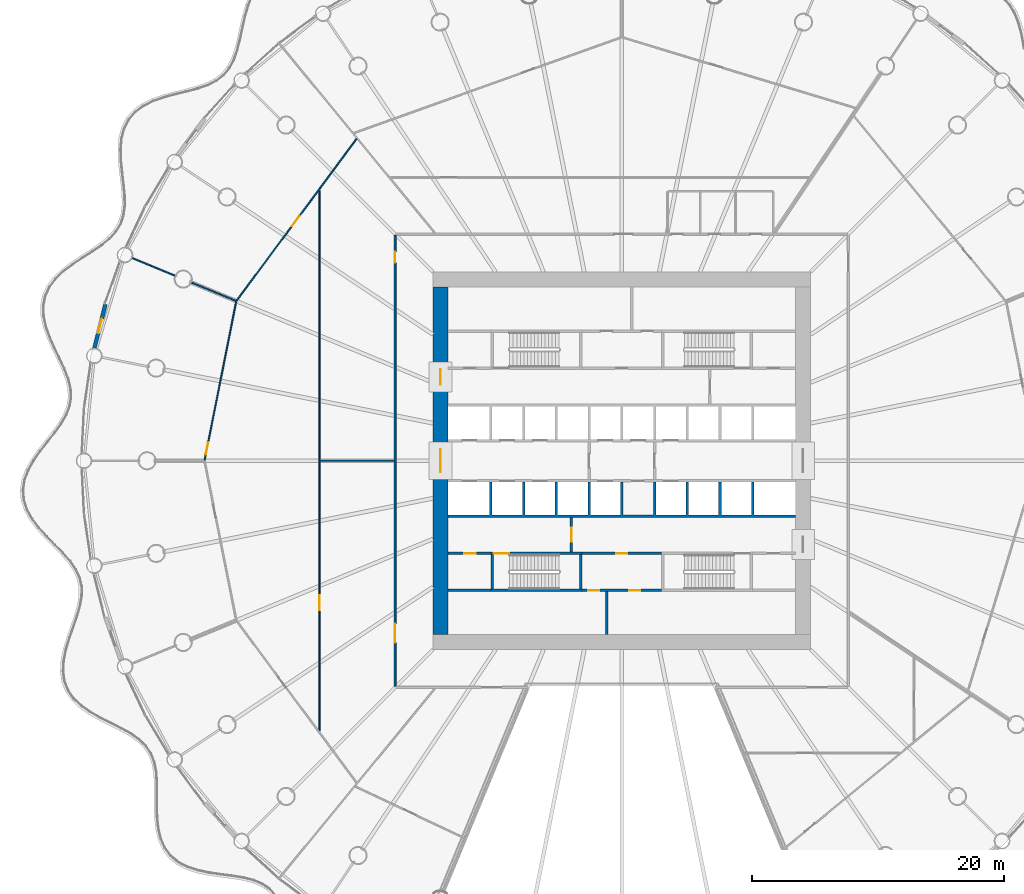
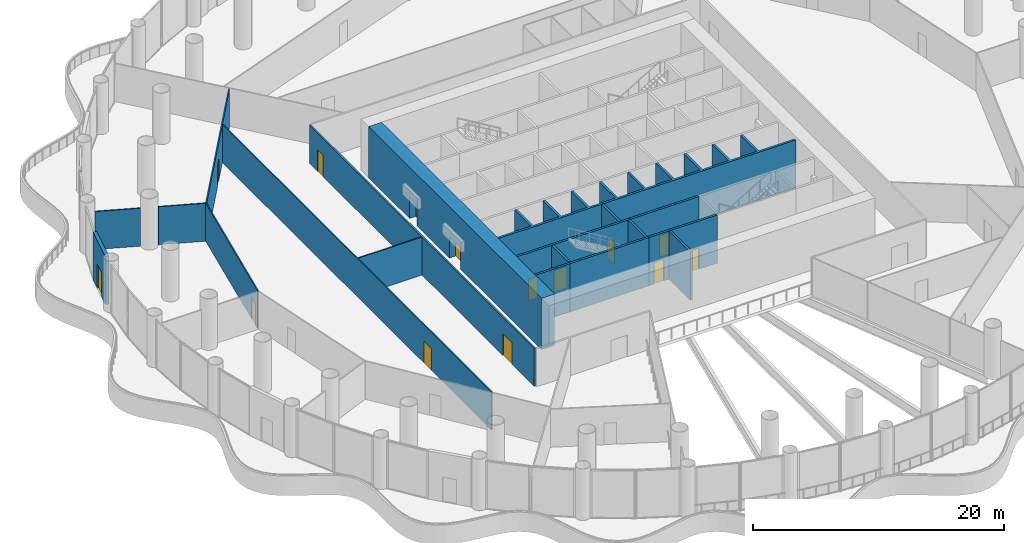
# One storey, part 24 of 36: 20 walls, 14 doors, 14 openings.
"""IFC4 building model written with IfcOpenShell, lengths in metres."""

from ifc_helpers import new_model, si_unit, direction, frame, frame_2d, origin, place, context, subcontext, project, spatial, polyline, rectangle, outline, extrude, material, layer, layer_set, type_object, element, fill, save


model = new_model("IFC4")

# Units and contexts
model_context = context("Model", 3, precision=1e-05, world=origin(), true_north=direction((0.0, 1.0)))
body_context = subcontext(model_context, "Body", "Model", "MODEL_VIEW")
ifc_project = project(units=[si_unit("LENGTHUNIT", "METRE"), si_unit("AREAUNIT", "SQUARE_METRE"), si_unit("VOLUMEUNIT", "CUBIC_METRE"), si_unit("PLANEANGLEUNIT", "RADIAN"), si_unit("MASSUNIT", "GRAM", prefix="KILO")], contexts=[model_context])

# Site, building, storey
site_placement = place(None, origin())
site = spatial("IfcSite", under=ifc_project, at=site_placement, CompositionType="ELEMENT")
building_placement = place(site_placement, origin())
building = spatial("IfcBuilding", under=site, at=building_placement, Name="Corvane Civic Tower", CompositionType="ELEMENT")
storey_placement = place(building_placement, frame((0.0, 0.0, 17.0)))
storey = spatial("IfcBuildingStorey", under=building, at=storey_placement, Name="L03", CompositionType="ELEMENT", Elevation=17.0)

# Wall, openings, doors
ifc_material_1 = material(Name="Concrete C80/95", Category="concrete")
ifc_layer_1 = layer(ifc_material_1, 1.199951171875)
ifc_layer_set_1 = layer_set([ifc_layer_1], Name="Concrete C80/95")
wall_type_1 = type_object("IfcWallType", Name="CORE WALL 1200 C80/95", PredefinedType="SHEAR", material=ifc_layer_set_1)
wall_1_placement = place(storey_placement, frame((-14.39990234375, -13.800048828125, 0.0), z_axis=(0.0, 0.0, 1.0), x_axis=(0.0, 1.0, 0.0)))
wall_1 = element("IfcWall", 1, at=wall_1_placement, inside=storey, type_object=wall_type_1, Name="W-L03-core-W", PredefinedType="SHEAR", context=body_context, shape_type="SweptSolid", body=[
    extrude(rectangle(XDim=27.60009765625, YDim=1.199951171875, at=frame_2d((13.800048828125, 0.0))), origin(), (0.0, 0.0, 1.0), 5.0),
])
opening_1_placement = place(wall_1_placement, frame((12.89990234375, 0.0, 0.0)))
opening_1 = element("IfcOpeningElement", 2, at=opening_1_placement, cuts=wall_1, Name="Opening L03.C20", PredefinedType="OPENING", context=body_context, shape_type="SweptSolid", body=[
    extrude(rectangle(XDim=1.800048828125, YDim=2.10009765625, at=frame_2d((0.89990234375, 1.050048828125))), frame((0.0, 0.60986328125, 0.0), z_axis=(0.0, -1.0, 0.0), x_axis=(1.0, 0.0, 0.0)), (0.0, 0.0, 1.0), 1.219970703125),
])
opening_2_placement = place(wall_1_placement, frame((19.85009765625, 0.0, 0.0)))
opening_2 = element("IfcOpeningElement", 3, at=opening_2_placement, cuts=wall_1, Name="Opening L03.C22", PredefinedType="OPENING", context=body_context, shape_type="SweptSolid", body=[
    extrude(rectangle(XDim=1.199951171875, YDim=2.10009765625, at=frame_2d((0.60009765625, 1.050048828125))), frame((0.0, 0.60986328125, 0.0), z_axis=(0.0, -1.0, 0.0), x_axis=(1.0, 0.0, 0.0)), (0.0, 0.0, 1.0), 1.219970703125),
])
ifc_material_2 = material(Name="Steel fire door leaf", Category="steel")
door_type_1 = type_object("IfcDoorType", Name="CR-DOOR-CORE-1800", OperationType="DOUBLE_DOOR_SINGLE_SWING", PredefinedType="DOOR", material=ifc_material_2)
door_1_placement = place(opening_1_placement, origin())
door_1 = element("IfcDoor", 4, at=door_1_placement, inside=storey, type_object=door_type_1, Name="L03 door", OperationType="DOUBLE_DOOR_SINGLE_SWING", OverallHeight=2.10009765625, OverallWidth=1.800048828125, PredefinedType="DOOR", context=body_context, shape_type="SweptSolid", body=[
    extrude(rectangle(XDim=1.800048828125, YDim=2.10009765625, at=frame_2d((0.89990234375, 1.050048828125))), frame((0.0, 0.02490234375, 0.0), z_axis=(0.0, -1.0, 0.0), x_axis=(1.0, 0.0, 0.0)), (0.0, 0.0, 1.0), 0.050048828125),
])
fill(opening_1, door_1)
door_2_placement = place(opening_2_placement, origin())
door_2 = element("IfcDoor", 5, at=door_2_placement, inside=storey, type_object=door_type_1, Name="L03 door", OperationType="DOUBLE_DOOR_SINGLE_SWING", OverallHeight=2.10009765625, OverallWidth=1.199951171875, PredefinedType="DOOR", context=body_context, shape_type="SweptSolid", body=[
    extrude(rectangle(XDim=1.199951171875, YDim=2.10009765625, at=frame_2d((0.60009765625, 1.050048828125))), frame((0.0, 0.02490234375, 0.0), z_axis=(0.0, -1.0, 0.0), x_axis=(1.0, 0.0, 0.0)), (0.0, 0.0, 1.0), 0.050048828125),
])
fill(opening_2, door_2)

ifc_material_3 = material(Name="Concrete C30/37", Category="concrete")
ifc_layer_2 = layer(ifc_material_3, 0.199951171875)
ifc_layer_set_2 = layer_set([ifc_layer_2], Name="Concrete C30/37")
wall_type_2 = type_object("IfcWallType", Name="CR-WALL-200", PredefinedType="PARTITIONING", material=ifc_layer_set_2)
wall_2_placement = place(storey_placement, frame((-3.14990234375, -10.300048828125, 0.0), z_axis=(0.0, 0.0, 1.0), x_axis=(1.0, 0.0, 0.0)))
wall_2 = element("IfcWall", 6, at=wall_2_placement, inside=storey, type_object=wall_type_2, Name="L03 partition wall", PredefinedType="PARTITIONING", context=body_context, shape_type="SweptSolid", body=[
    extrude(rectangle(XDim=6.2998046875, YDim=0.199951171875, at=frame_2d((3.14990234375, 0.0))), origin(), (0.0, 0.0, 1.0), 4.699951171875),
])
opening_3_placement = place(wall_2_placement, frame((0.47509765625, 0.0, 0.0)))
opening_3 = element("IfcOpeningElement", 7, at=opening_3_placement, cuts=wall_2, Name="Opening L03.C06", PredefinedType="OPENING", context=body_context, shape_type="SweptSolid", body=[
    extrude(rectangle(XDim=0.89990234375, YDim=2.10009765625, at=frame_2d((0.449951171875, 1.050048828125))), frame((0.0, 0.10986328125, 0.0), z_axis=(0.0, -1.0, 0.0), x_axis=(1.0, 0.0, 0.0)), (0.0, 0.0, 1.0), 0.219970703125),
])
opening_4_placement = place(wall_2_placement, frame((3.72509765625, 0.0, 0.0)))
opening_4 = element("IfcOpeningElement", 8, at=opening_4_placement, cuts=wall_2, Name="Opening L03.C07", PredefinedType="OPENING", context=body_context, shape_type="SweptSolid", body=[
    extrude(rectangle(XDim=0.89990234375, YDim=2.10009765625, at=frame_2d((0.449951171875, 1.050048828125))), frame((0.0, 0.10986328125, 0.0), z_axis=(0.0, -1.0, 0.0), x_axis=(1.0, 0.0, 0.0)), (0.0, 0.0, 1.0), 0.219970703125),
])
ifc_material_4 = material(Name="Steel fire door leaf", Category="steel")
door_type_2 = type_object("IfcDoorType", Name="CR-DOOR-900", OperationType="SINGLE_SWING_LEFT", PredefinedType="DOOR", material=ifc_material_4)
door_3_placement = place(opening_3_placement, origin())
door_3 = element("IfcDoor", 9, at=door_3_placement, inside=storey, type_object=door_type_2, Name="L03 door", OperationType="SINGLE_SWING_LEFT", OverallHeight=2.10009765625, OverallWidth=0.89990234375, PredefinedType="DOOR", context=body_context, shape_type="SweptSolid", body=[
    extrude(rectangle(XDim=0.89990234375, YDim=2.10009765625, at=frame_2d((0.449951171875, 1.050048828125))), frame((0.0, 0.02490234375, 0.0), z_axis=(0.0, -1.0, 0.0), x_axis=(1.0, 0.0, 0.0)), (0.0, 0.0, 1.0), 0.050048828125),
])
fill(opening_3, door_3)
door_4_placement = place(opening_4_placement, origin())
door_4 = element("IfcDoor", 10, at=door_4_placement, inside=storey, type_object=door_type_2, Name="L03 door", OperationType="SINGLE_SWING_LEFT", OverallHeight=2.10009765625, OverallWidth=0.89990234375, PredefinedType="DOOR", context=body_context, shape_type="SweptSolid", body=[
    extrude(rectangle(XDim=0.89990234375, YDim=2.10009765625, at=frame_2d((0.449951171875, 1.050048828125))), frame((0.0, 0.02490234375, 0.0), z_axis=(0.0, -1.0, 0.0), x_axis=(1.0, 0.0, 0.0)), (0.0, 0.0, 1.0), 0.050048828125),
])
fill(opening_4, door_4)

# Wall, opening, door
wall_3_placement = place(storey_placement, frame((-13.800048828125, -7.35009765625, 0.0), z_axis=(0.0, 0.0, 1.0), x_axis=(1.0, 0.0, 0.0)))
wall_3 = element("IfcWall", 11, at=wall_3_placement, inside=storey, type_object=wall_type_2, Name="L03 core partition wall", PredefinedType="PARTITIONING", context=body_context, shape_type="SweptSolid", body=[
    extrude(rectangle(XDim=3.400146484375, YDim=0.199951171875, at=frame_2d((1.7001953125, 0.0))), origin(), (0.0, 0.0, 1.0), 4.699951171875),
])
opening_5_placement = place(wall_3_placement, frame((1.300048828125, 0.0, 0.0)))
opening_5 = element("IfcOpeningElement", 12, at=opening_5_placement, cuts=wall_3, Name="Opening L03.C09", PredefinedType="OPENING", context=body_context, shape_type="SweptSolid", body=[
    extrude(rectangle(XDim=0.89990234375, YDim=2.10009765625, at=frame_2d((0.449951171875, 1.050048828125))), frame((0.0, 0.10986328125, 0.0), z_axis=(0.0, -1.0, 0.0), x_axis=(1.0, 0.0, 0.0)), (0.0, 0.0, 1.0), 0.219970703125),
])
door_5_placement = place(opening_5_placement, origin())
door_5 = element("IfcDoor", 13, at=door_5_placement, inside=storey, type_object=door_type_2, Name="L03 door", OperationType="SINGLE_SWING_LEFT", OverallHeight=2.10009765625, OverallWidth=0.89990234375, PredefinedType="DOOR", context=body_context, shape_type="SweptSolid", body=[
    extrude(rectangle(XDim=0.89990234375, YDim=2.10009765625, at=frame_2d((0.449951171875, 1.050048828125))), frame((0.0, 0.02490234375, 0.0), z_axis=(0.0, -1.0, 0.0), x_axis=(1.0, 0.0, 0.0)), (0.0, 0.0, 1.0), 0.050048828125),
])
fill(opening_5, door_5)

wall_4_placement = place(storey_placement, frame((-3.14990234375, -7.35009765625, 0.0), z_axis=(0.0, 0.0, 1.0), x_axis=(1.0, 0.0, 0.0)))
wall_4 = element("IfcWall", 14, at=wall_4_placement, inside=storey, type_object=wall_type_2, Name="L03 core partition wall", PredefinedType="PARTITIONING", context=body_context, shape_type="SweptSolid", body=[
    extrude(rectangle(XDim=6.2998046875, YDim=0.199951171875, at=frame_2d((3.14990234375, 0.0))), origin(), (0.0, 0.0, 1.0), 4.699951171875),
])
opening_6_placement = place(wall_4_placement, frame((2.699951171875, 0.0, 0.0)))
opening_6 = element("IfcOpeningElement", 15, at=opening_6_placement, cuts=wall_4, Name="Opening L03.C03", PredefinedType="OPENING", context=body_context, shape_type="SweptSolid", body=[
    extrude(rectangle(XDim=0.89990234375, YDim=2.10009765625, at=frame_2d((0.449951171875, 1.050048828125))), frame((0.0, 0.10986328125, 0.0), z_axis=(0.0, -1.0, 0.0), x_axis=(1.0, 0.0, 0.0)), (0.0, 0.0, 1.0), 0.219970703125),
])
door_6_placement = place(opening_6_placement, origin())
door_6 = element("IfcDoor", 16, at=door_6_placement, inside=storey, type_object=door_type_2, Name="L03 door", OperationType="SINGLE_SWING_LEFT", OverallHeight=2.10009765625, OverallWidth=0.89990234375, PredefinedType="DOOR", context=body_context, shape_type="SweptSolid", body=[
    extrude(rectangle(XDim=0.89990234375, YDim=2.10009765625, at=frame_2d((0.449951171875, 1.050048828125))), frame((0.0, 0.02490234375, 0.0), z_axis=(0.0, -1.0, 0.0), x_axis=(1.0, 0.0, 0.0)), (0.0, 0.0, 1.0), 0.050048828125),
])
fill(opening_6, door_6)

wall_5_placement = place(storey_placement, frame((-4.0, -7.25, 0.0), z_axis=(0.0, 0.0, 1.0), x_axis=(0.0, 1.0, 0.0)))
wall_5 = element("IfcWall", 17, at=wall_5_placement, inside=storey, type_object=wall_type_2, Name="L03 core partition wall", PredefinedType="PARTITIONING", context=body_context, shape_type="SweptSolid", body=[
    extrude(rectangle(XDim=2.75, YDim=0.199951171875, at=frame_2d((1.375, 0.0))), origin(), (0.0, 0.0, 1.0), 4.699951171875),
])
opening_7_placement = place(wall_5_placement, frame((0.824951171875, 0.0, 0.0)))
opening_7 = element("IfcOpeningElement", 18, at=opening_7_placement, cuts=wall_5, Name="Opening L03.C19", PredefinedType="OPENING", context=body_context, shape_type="SweptSolid", body=[
    extrude(rectangle(XDim=1.10009765625, YDim=2.10009765625, at=frame_2d((0.550048828125, 1.050048828125))), frame((0.0, 0.10986328125, 0.0), z_axis=(0.0, -1.0, 0.0), x_axis=(1.0, 0.0, 0.0)), (0.0, 0.0, 1.0), 0.219970703125),
])
ifc_material_5 = material(Name="Steel fire door leaf", Category="steel")
door_type_3 = type_object("IfcDoorType", Name="CR-DOOR-FFL-1100", OperationType="SINGLE_SWING_LEFT", PredefinedType="DOOR", material=ifc_material_5)
door_7_placement = place(opening_7_placement, origin())
door_7 = element("IfcDoor", 19, at=door_7_placement, inside=storey, type_object=door_type_3, Name="L03 lobby door", OperationType="SINGLE_SWING_LEFT", OverallHeight=2.10009765625, OverallWidth=1.10009765625, PredefinedType="DOOR", context=body_context, shape_type="SweptSolid", body=[
    extrude(rectangle(XDim=1.10009765625, YDim=2.10009765625, at=frame_2d((0.550048828125, 1.050048828125))), frame((0.0, 0.02490234375, 0.0), z_axis=(0.0, -1.0, 0.0), x_axis=(1.0, 0.0, 0.0)), (0.0, 0.0, 1.0), 0.050048828125),
])
fill(opening_7, door_7)

# Walls
wall_6_placement = place(storey_placement, origin())
element("IfcWall", 20, at=wall_6_placement, inside=storey, type_object=wall_type_2, Name="L03 core partition wall", PredefinedType="PARTITIONING", context=body_context, shape_type="SweptSolid", body=[
    extrude(outline(polyline([(-10.39990234375, -10.39990234375), (-13.800048828125, -10.39990234375), (-13.800048828125, -10.199951171875), (-10.39990234375, -10.199951171875), (-10.39990234375, -10.39990234375)])), origin(), (0.0, 0.0, 1.0), 4.699951171875),
])
wall_7_placement = place(storey_placement, origin())
element("IfcWall", 21, at=wall_7_placement, inside=storey, type_object=wall_type_2, Name="L03 core partition wall", PredefinedType="PARTITIONING", context=body_context, shape_type="SweptSolid", body=[
    extrude(outline(polyline([(-1.10009765625, -10.39990234375), (-1.10009765625, -13.800048828125), (-1.300048828125, -13.800048828125), (-1.300048828125, -10.39990234375), (-1.10009765625, -10.39990234375)])), origin(), (0.0, 0.0, 1.0), 4.699951171875),
])
wall_8_placement = place(storey_placement, origin())
element("IfcWall", 22, at=wall_8_placement, inside=storey, type_object=wall_type_2, Name="L03 core partition wall", PredefinedType="PARTITIONING", context=body_context, shape_type="SweptSolid", body=[
    extrude(outline(polyline([(-10.5, -1.699951171875), (-10.300048828125, -1.699951171875), (-10.300048828125, -4.300048828125), (-7.89990234375, -4.300048828125), (-7.89990234375, -1.699951171875), (-7.699951171875, -1.699951171875), (-7.699951171875, -4.300048828125), (-5.300048828125, -4.300048828125), (-5.300048828125, -1.699951171875), (-5.10009765625, -1.699951171875), (-5.10009765625, -4.300048828125), (-2.699951171875, -4.300048828125), (-2.699951171875, -1.699951171875), (-2.5, -1.699951171875), (-2.5, -4.300048828125), (-0.10009765625, -4.300048828125), (-0.10009765625, -1.699951171875), (0.10009765625, -1.699951171875), (0.10009765625, -4.300048828125), (2.5, -4.300048828125), (2.5, -1.699951171875), (2.699951171875, -1.699951171875), (2.699951171875, -4.300048828125), (5.10009765625, -4.300048828125), (5.10009765625, -1.699951171875), (5.300048828125, -1.699951171875), (5.300048828125, -4.300048828125), (7.699951171875, -4.300048828125), (7.699951171875, -1.699951171875), (7.89990234375, -1.699951171875), (7.89990234375, -4.300048828125), (10.300048828125, -4.300048828125), (10.300048828125, -1.699951171875), (10.5, -1.699951171875), (10.5, -4.300048828125), (13.800048828125, -4.300048828125), (13.800048828125, -4.5), (-13.800048828125, -4.5), (-13.800048828125, -4.300048828125), (-10.5, -4.300048828125), (-10.5, -1.699951171875)])), origin(), (0.0, 0.0, 1.0), 4.699951171875),
])

# Wall, opening, door
ifc_material_6 = material(Name="Terracotta cladding", Category="masonry")
ifc_layer_3 = layer(ifc_material_6, 0.300048828125)
ifc_layer_set_3 = layer_set([ifc_layer_3], Name="Terracotta cladding")
wall_type_3 = type_object("IfcWallType", Name="PODIUM-W-DRUMDOOR-300", PredefinedType="SOLIDWALL", material=ifc_layer_set_3)
wall_9_placement = place(storey_placement, frame((-41.872802734375, 8.973388671875, 0.0), z_axis=(0.0, 0.0, 1.0), x_axis=(0.243003601959, 0.970025385974, 0.0)))
wall_9 = element("IfcWall", 23, at=wall_9_placement, inside=storey, type_object=wall_type_3, Name="L03 drum door bay wall 26", PredefinedType="SOLIDWALL", context=body_context, shape_type="SweptSolid", body=[
    extrude(rectangle(XDim=3.5595703125, YDim=0.300048828125, at=frame_2d((1.77978515625, 0.0))), origin(), (0.0, 0.0, 1.0), 4.699951171875),
])
opening_8_placement = place(wall_9_placement, frame((1.179931640625, 0.0, 0.0)))
opening_8 = element("IfcOpeningElement", 24, at=opening_8_placement, cuts=wall_9, Name="Opening ED-L03-26", PredefinedType="OPENING", context=body_context, shape_type="SweptSolid", body=[
    extrude(rectangle(XDim=1.199951171875, YDim=2.39990234375, at=frame_2d((0.60009765625, 1.199951171875))), frame((0.0, 0.159912109375, 0.0), z_axis=(0.0, -1.0, 0.0), x_axis=(1.0, 0.0, 0.0)), (0.0, 0.0, 1.0), 0.320068359375),
])
ifc_material_7 = material(Name="Anodised aluminium and glass", Category="aluminium")
door_type_4 = type_object("IfcDoorType", Name="PODIUM-D-BALCONY-1200", OperationType="SINGLE_SWING_LEFT", PredefinedType="DOOR", material=ifc_material_7)
door_8_placement = place(opening_8_placement, origin())
door_8 = element("IfcDoor", 25, at=door_8_placement, inside=storey, type_object=door_type_4, Name="L03 balcony door 26", OperationType="SINGLE_SWING_RIGHT", OverallHeight=2.39990234375, OverallWidth=1.199951171875, PredefinedType="DOOR", context=body_context, shape_type="SweptSolid", body=[
    extrude(rectangle(XDim=1.199951171875, YDim=2.39990234375, at=frame_2d((0.60009765625, 1.199951171875))), frame((0.0, 0.02490234375, 0.0), z_axis=(0.0, -1.0, 0.0), x_axis=(1.0, 0.0, 0.0)), (0.0, 0.0, 1.0), 0.050048828125),
])
fill(opening_8, door_8)

ifc_material_8 = material(Name="Plasterboard")
ifc_layer_4 = layer(ifc_material_8, 0.10009765625)
ifc_layer_set_4 = layer_set([ifc_layer_4], Name="Plasterboard")
wall_type_4 = type_object("IfcWallType", Name="Partition 100 plasterboard on studs", PredefinedType="PARTITIONING", material=ifc_layer_set_4)
wall_10_placement = place(storey_placement, frame((-24.0, -21.45068359375, 0.0), z_axis=(0.0, 0.0, 1.0), x_axis=(0.0, 1.0, 0.0)))
wall_10 = element("IfcWall", 26, at=wall_10_placement, inside=storey, type_object=wall_type_4, Name="Partition L03.008", PredefinedType="PARTITIONING", context=body_context, shape_type="SweptSolid", body=[
    extrude(rectangle(XDim=42.9013671875, YDim=0.10009765625, at=frame_2d((21.45068359375, 0.0))), origin(), (0.0, 0.0, 1.0), 3.699951171875),
])
opening_9_placement = place(wall_10_placement, frame((9.574462890625, 0.0, 0.0)))
opening_9 = element("IfcOpeningElement", 27, at=opening_9_placement, cuts=wall_10, Name="Opening L03.011", PredefinedType="OPENING", context=body_context, shape_type="SweptSolid", body=[
    extrude(rectangle(XDim=1.199951171875, YDim=2.10009765625, at=frame_2d((0.60009765625, 1.050048828125))), frame((0.0, 0.06005859375, 0.0), z_axis=(0.0, -1.0, 0.0), x_axis=(1.0, 0.0, 0.0)), (0.0, 0.0, 1.0), 0.1201171875),
])
ifc_material_9 = material(Name="Timber", Category="wood")
door_type_5 = type_object("IfcDoorType", Name="Double door 1200", OperationType="NOTDEFINED", PredefinedType="DOOR", material=ifc_material_9)
door_9_placement = place(opening_9_placement, origin())
door_9 = element("IfcDoor", 28, at=door_9_placement, inside=storey, type_object=door_type_5, Name="Door L03.011", OperationType="DOUBLE_DOOR_SINGLE_SWING", OverallHeight=2.10009765625, OverallWidth=1.199951171875, PredefinedType="DOOR", context=body_context, shape_type="SweptSolid", body=[
    extrude(rectangle(XDim=1.199951171875, YDim=2.10009765625, at=frame_2d((0.60009765625, 1.050048828125))), frame((0.0, 0.02490234375, 0.0), z_axis=(0.0, -1.0, 0.0), x_axis=(1.0, 0.0, 0.0)), (0.0, 0.0, 1.0), 0.050048828125),
])
fill(opening_9, door_9)

# Wall
wall_11_placement = place(storey_placement, frame((-23.949951171875, 0.0, 0.0), z_axis=(0.0, 0.0, 1.0), x_axis=(1.0, 0.0, 0.0)))
element("IfcWall", 29, at=wall_11_placement, inside=storey, type_object=wall_type_4, Name="Partition L03.020", PredefinedType="PARTITIONING", context=body_context, shape_type="SweptSolid", body=[
    extrude(rectangle(XDim=5.875, YDim=0.10009765625, at=frame_2d((2.9375, 0.0))), origin(), (0.0, 0.0, 1.0), 3.699951171875),
])

# Wall, opening, door
wall_12_placement = place(storey_placement, frame((-33.13037109375, 0.040283203125, 0.0), z_axis=(0.0, 0.0, 1.0), x_axis=(0.195096483335, 0.980784054821, 0.0)))
wall_12 = element("IfcWall", 30, at=wall_12_placement, inside=storey, type_object=wall_type_4, Name="Partition L03.023", PredefinedType="PARTITIONING", context=body_context, shape_type="SweptSolid", body=[
    extrude(rectangle(XDim=12.847900390625, YDim=0.10009765625, at=frame_2d((6.423828125, 0.0))), origin(), (0.0, 0.0, 1.0), 3.699951171875),
])
opening_10_placement = place(wall_12_placement, frame((0.462890625, 0.0, 0.0)))
opening_10 = element("IfcOpeningElement", 31, at=opening_10_placement, cuts=wall_12, Name="Opening L03.009", PredefinedType="OPENING", context=body_context, shape_type="SweptSolid", body=[
    extrude(rectangle(XDim=1.0, YDim=2.10009765625, at=frame_2d((0.5, 1.050048828125))), frame((0.0, 0.06005859375, 0.0), z_axis=(0.0, -1.0, 0.0), x_axis=(1.0, 0.0, 0.0)), (0.0, 0.0, 1.0), 0.1201171875),
])
ifc_material_10 = material(Name="Timber", Category="wood")
door_type_6 = type_object("IfcDoorType", Name="Single door 1000", OperationType="NOTDEFINED", PredefinedType="DOOR", material=ifc_material_10)
door_10_placement = place(opening_10_placement, origin())
door_10 = element("IfcDoor", 32, at=door_10_placement, inside=storey, type_object=door_type_6, Name="Door L03.009", OperationType="SINGLE_SWING_RIGHT", OverallHeight=2.10009765625, OverallWidth=1.0, PredefinedType="DOOR", context=body_context, shape_type="SweptSolid", body=[
    extrude(rectangle(XDim=1.0, YDim=2.10009765625, at=frame_2d((0.5, 1.050048828125))), frame((0.0, 0.02490234375, 0.0), z_axis=(0.0, -1.0, 0.0), x_axis=(1.0, 0.0, 0.0)), (0.0, 0.0, 1.0), 0.050048828125),
])
fill(opening_10, door_10)

# Wall
wall_13_placement = place(storey_placement, frame((-34.17431640625, 14.155517578125, 0.0), z_axis=(0.0, 0.0, 1.0), x_axis=(0.923878616679, -0.382685643372, 0.0)))
element("IfcWall", 33, at=wall_13_placement, inside=storey, type_object=wall_type_4, Name="Partition L03.027", PredefinedType="PARTITIONING", context=body_context, shape_type="SweptSolid", body=[
    extrude(rectangle(XDim=3.810546875, YDim=0.10009765625, at=frame_2d((1.9052734375, 0.0))), origin(), (0.0, 0.0, 1.0), 3.699951171875),
])

# Wall, opening, door
wall_14_placement = place(storey_placement, frame((-30.592529296875, 12.712890625, 0.0), z_axis=(0.0, 0.0, 1.0), x_axis=(0.595699618926, 0.803207298281, 0.0)))
wall_14 = element("IfcWall", 34, at=wall_14_placement, inside=storey, type_object=wall_type_4, Name="Partition L03.028", PredefinedType="PARTITIONING", context=body_context, shape_type="SweptSolid", body=[
    extrude(rectangle(XDim=16.0009765625, YDim=0.10009765625, at=frame_2d((8.00048828125, 0.0))), origin(), (0.0, 0.0, 1.0), 3.699951171875),
])
opening_11_placement = place(wall_14_placement, frame((7.362060546875, 0.0, 0.0)))
opening_11 = element("IfcOpeningElement", 35, at=opening_11_placement, cuts=wall_14, Name="Opening L03.010", PredefinedType="OPENING", context=body_context, shape_type="SweptSolid", body=[
    extrude(rectangle(XDim=1.0, YDim=2.10009765625, at=frame_2d((0.5, 1.050048828125))), frame((0.0, 0.06005859375, 0.0), z_axis=(0.0, -1.0, 0.0), x_axis=(1.0, 0.0, 0.0)), (0.0, 0.0, 1.0), 0.1201171875),
])
door_11_placement = place(opening_11_placement, origin())
door_11 = element("IfcDoor", 36, at=door_11_placement, inside=storey, type_object=door_type_6, Name="Door L03.010", OperationType="SINGLE_SWING_LEFT", OverallHeight=2.10009765625, OverallWidth=1.0, PredefinedType="DOOR", context=body_context, shape_type="SweptSolid", body=[
    extrude(rectangle(XDim=1.0, YDim=2.10009765625, at=frame_2d((0.5, 1.050048828125))), frame((0.0, 0.02490234375, 0.0), z_axis=(0.0, -1.0, 0.0), x_axis=(1.0, 0.0, 0.0)), (0.0, 0.0, 1.0), 0.050048828125),
])
fill(opening_11, door_11)

# Wall
wall_15_placement = place(storey_placement, frame((-38.885986328125, 16.107177734375, 0.0), z_axis=(0.0, 0.0, 1.0), x_axis=(0.923877746385, -0.382687744427, 0.0)))
element("IfcWall", 37, at=wall_15_placement, inside=storey, type_object=wall_type_4, Name="Partition L03.029", PredefinedType="PARTITIONING", context=body_context, shape_type="SweptSolid", body=[
    extrude(rectangle(XDim=3.6796875, YDim=0.10009765625, at=frame_2d((1.83984375, 0.0))), origin(), (0.0, 0.0, 1.0), 3.699951171875),
])

# Wall, opening, door
ifc_material_11 = material(Name="Concrete C50/60", Category="concrete")
ifc_layer_5 = layer(ifc_material_11, 0.199951171875)
ifc_layer_set_5 = layer_set([ifc_layer_5], Name="Concrete C50/60")
wall_type_5 = type_object("IfcWallType", Name="ST-WALL-200", PredefinedType="SHEAR", material=ifc_layer_set_5)
wall_16_placement = place(storey_placement, frame((-10.39990234375, -7.35009765625, 0.0), z_axis=(0.0, 0.0, 1.0), x_axis=(1.0, 0.0, 0.0)))
wall_16 = element("IfcWall", 38, at=wall_16_placement, inside=storey, type_object=wall_type_5, Name="L03 stair enclosure wall", PredefinedType="SHEAR", context=body_context, shape_type="SweptSolid", body=[
    extrude(rectangle(XDim=7.25, YDim=0.199951171875, at=frame_2d((3.625, 0.0))), origin(), (0.0, 0.0, 1.0), 4.699951171875),
])
opening_12_placement = place(wall_16_placement, frame((0.25, 0.0, 0.0)))
opening_12 = element("IfcOpeningElement", 39, at=opening_12_placement, cuts=wall_16, Name="Opening L03.C15", PredefinedType="OPENING", context=body_context, shape_type="SweptSolid", body=[
    extrude(rectangle(XDim=1.199951171875, YDim=2.10009765625, at=frame_2d((0.60009765625, 1.050048828125))), frame((0.0, 0.10986328125, 0.0), z_axis=(0.0, -1.0, 0.0), x_axis=(1.0, 0.0, 0.0)), (0.0, 0.0, 1.0), 0.219970703125),
])
ifc_material_12 = material(Name="Steel fire door leaf", Category="steel")
door_type_7 = type_object("IfcDoorType", Name="ST-DOOR-1200", OperationType="SINGLE_SWING_RIGHT", PredefinedType="DOOR", material=ifc_material_12)
door_12_placement = place(opening_12_placement, origin())
door_12 = element("IfcDoor", 40, at=door_12_placement, inside=storey, type_object=door_type_7, Name="L03 stair door", OperationType="SINGLE_SWING_RIGHT", OverallHeight=2.10009765625, OverallWidth=1.199951171875, PredefinedType="DOOR", context=body_context, shape_type="SweptSolid", body=[
    extrude(rectangle(XDim=1.199951171875, YDim=2.10009765625, at=frame_2d((0.60009765625, 1.050048828125))), frame((0.0, 0.02490234375, 0.0), z_axis=(0.0, -1.0, 0.0), x_axis=(1.0, 0.0, 0.0)), (0.0, 0.0, 1.0), 0.050048828125),
])
fill(opening_12, door_12)

# Walls
wall_17_placement = place(storey_placement, origin())
element("IfcWall", 41, at=wall_17_placement, inside=storey, type_object=wall_type_5, Name="L03 stair enclosure wall", PredefinedType="SHEAR", context=body_context, shape_type="SweptSolid", body=[
    extrude(outline(polyline([(-3.14990234375, -10.199951171875), (-3.14990234375, -10.39990234375), (-10.39990234375, -10.39990234375), (-10.39990234375, -10.199951171875), (-3.14990234375, -10.199951171875)])), origin(), (0.0, 0.0, 1.0), 4.699951171875),
])
wall_18_placement = place(storey_placement, origin())
element("IfcWall", 42, at=wall_18_placement, inside=storey, type_object=wall_type_5, Name="L03 stair enclosure wall", PredefinedType="SHEAR", context=body_context, shape_type="SweptSolid", body=[
    extrude(outline(polyline([(-3.14990234375, -7.449951171875), (-3.14990234375, -10.199951171875), (-3.35009765625, -10.199951171875), (-3.35009765625, -7.449951171875), (-3.14990234375, -7.449951171875)])), origin(), (0.0, 0.0, 1.0), 4.699951171875),
])
wall_19_placement = place(storey_placement, origin())
element("IfcWall", 43, at=wall_19_placement, inside=storey, type_object=wall_type_5, Name="L03 stair enclosure wall", PredefinedType="SHEAR", context=body_context, shape_type="SweptSolid", body=[
    extrude(outline(polyline([(-10.199951171875, -7.449951171875), (-10.199951171875, -10.199951171875), (-10.39990234375, -10.199951171875), (-10.39990234375, -7.449951171875), (-10.199951171875, -7.449951171875)])), origin(), (0.0, 0.0, 1.0), 4.699951171875),
])

# Wall, openings, doors
ifc_material_13 = material(Name="Plasterboard")
ifc_layer_6 = layer(ifc_material_13, 0.14990234375)
ifc_layer_set_6 = layer_set([ifc_layer_6], Name="Plasterboard")
wall_type_6 = type_object("IfcWallType", Name="Tenancy wall 150 EI 60", PredefinedType="PARTITIONING", material=ifc_layer_set_6)
wall_20_placement = place(storey_placement, frame((-18.0, -17.925048828125, 0.0), z_axis=(0.0, 0.0, 1.0), x_axis=(0.0, 1.0, 0.0)))
wall_20 = element("IfcWall", 44, at=wall_20_placement, inside=storey, type_object=wall_type_6, Name="Partition L03.013", PredefinedType="PARTITIONING", context=body_context, shape_type="SweptSolid", body=[
    extrude(rectangle(XDim=35.85009765625, YDim=0.14990234375, at=frame_2d((17.925048828125, 0.0))), origin(), (0.0, 0.0, 1.0), 3.699951171875),
])
opening_13_placement = place(wall_20_placement, frame((3.486572265625, 0.0, 0.0)))
opening_13 = element("IfcOpeningElement", 45, at=opening_13_placement, cuts=wall_20, Name="Opening L03.012", PredefinedType="OPENING", context=body_context, shape_type="SweptSolid", body=[
    extrude(rectangle(XDim=1.5, YDim=2.10009765625, at=frame_2d((0.75, 1.050048828125))), frame((0.0, 0.0849609375, 0.0), z_axis=(0.0, -1.0, 0.0), x_axis=(1.0, 0.0, 0.0)), (0.0, 0.0, 1.0), 0.169921875),
])
opening_14_placement = place(wall_20_placement, frame((33.63525390625, 0.0, 0.0)))
opening_14 = element("IfcOpeningElement", 46, at=opening_14_placement, cuts=wall_20, Name="Opening L03.013", PredefinedType="OPENING", context=body_context, shape_type="SweptSolid", body=[
    extrude(rectangle(XDim=0.89990234375, YDim=2.10009765625, at=frame_2d((0.449951171875, 1.050048828125))), frame((0.0, 0.0849609375, 0.0), z_axis=(0.0, -1.0, 0.0), x_axis=(1.0, 0.0, 0.0)), (0.0, 0.0, 1.0), 0.169921875),
])
ifc_material_14 = material(Name="Steel and timber", Category="steel")
door_type_8 = type_object("IfcDoorType", Name="Fire door FD30S 900", OperationType="NOTDEFINED", PredefinedType="DOOR", material=ifc_material_14)
door_13_placement = place(opening_14_placement, origin())
door_13 = element("IfcDoor", 47, at=door_13_placement, inside=storey, type_object=door_type_8, Name="Door L03.013", OperationType="SINGLE_SWING_LEFT", OverallHeight=2.10009765625, OverallWidth=0.89990234375, PredefinedType="DOOR", context=body_context, shape_type="SweptSolid", body=[
    extrude(rectangle(XDim=0.89990234375, YDim=2.10009765625, at=frame_2d((0.449951171875, 1.050048828125))), frame((0.0, 0.02490234375, 0.0), z_axis=(0.0, -1.0, 0.0), x_axis=(1.0, 0.0, 0.0)), (0.0, 0.0, 1.0), 0.050048828125),
])
fill(opening_14, door_13)
ifc_material_15 = material(Name="Steel and timber", Category="steel")
door_type_9 = type_object("IfcDoorType", Name="Fire door FD60 double 1500", OperationType="NOTDEFINED", PredefinedType="DOOR", material=ifc_material_15)
door_14_placement = place(opening_13_placement, origin())
door_14 = element("IfcDoor", 48, at=door_14_placement, inside=storey, type_object=door_type_9, Name="Door L03.012", OperationType="DOUBLE_DOOR_SINGLE_SWING", OverallHeight=2.10009765625, OverallWidth=1.5, PredefinedType="DOOR", context=body_context, shape_type="SweptSolid", body=[
    extrude(rectangle(XDim=1.5, YDim=2.10009765625, at=frame_2d((0.75, 1.050048828125))), frame((0.0, 0.02490234375, 0.0), z_axis=(0.0, -1.0, 0.0), x_axis=(1.0, 0.0, 0.0)), (0.0, 0.0, 1.0), 0.050048828125),
])
fill(opening_13, door_14)

save(model, "model.ifc")
